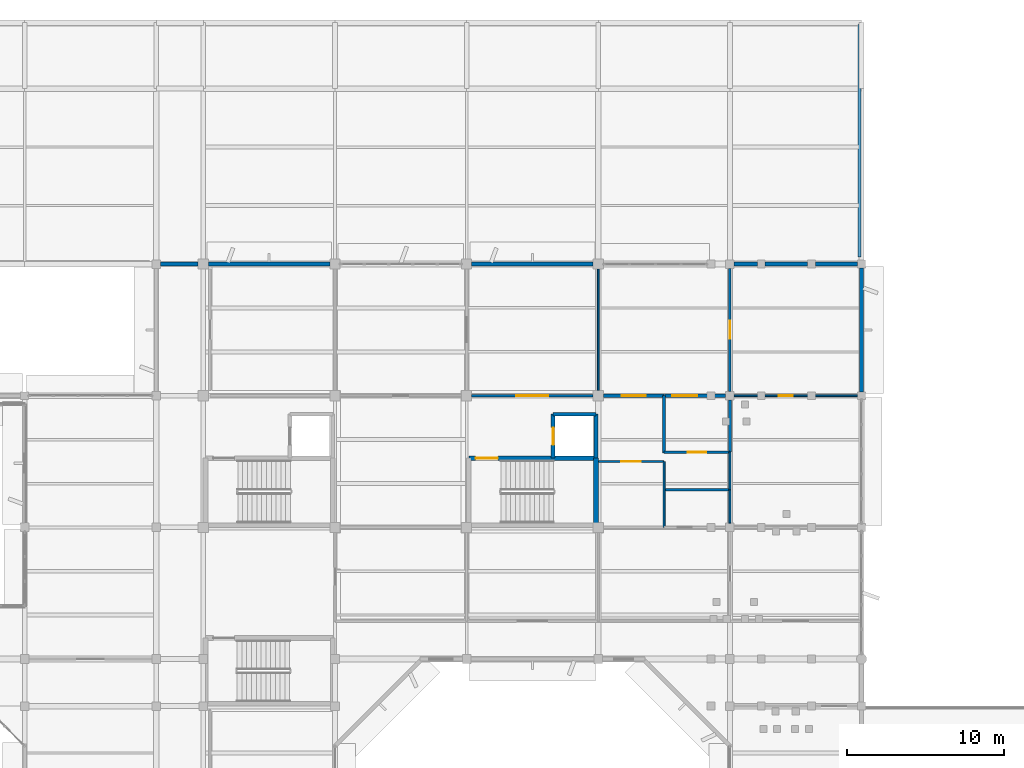
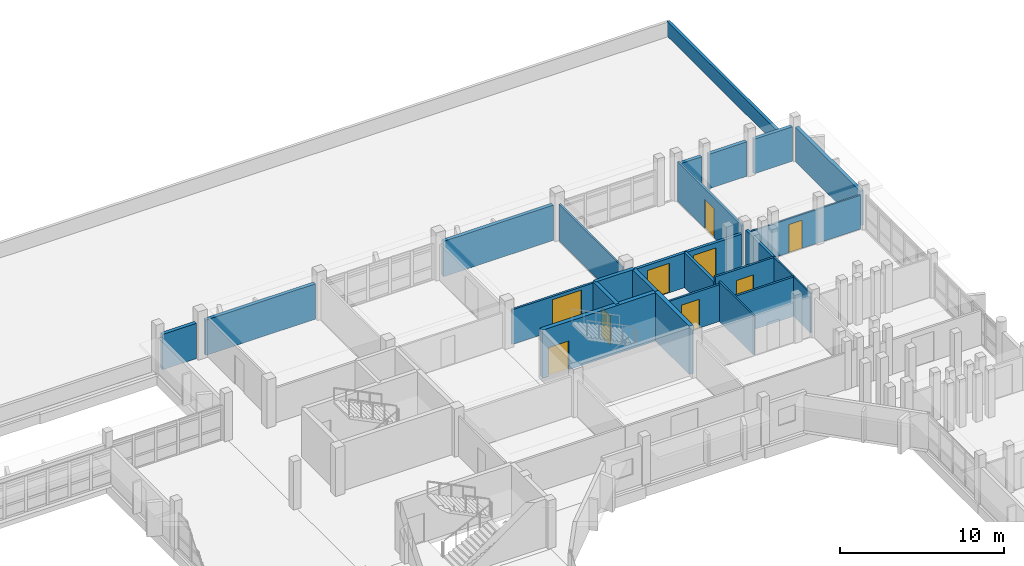
# One storey, part 65 of 92: 27 walls, 9 doors, 9 openings.
"""IFC4 building model written with IfcOpenShell, lengths in metres."""

from ifc_helpers import new_model, si_unit, direction, frame, frame_2d, origin, place, context, subcontext, project, spatial, rectangle, extrude, material, layer, layer_set, type_object, element, fill, save


model = new_model("IFC4")

# Units and contexts
model_context = context("Model", 3, precision=1e-05, world=origin(), true_north=direction((0.0, 1.0)))
body_context = subcontext(model_context, "Body", "Model", "MODEL_VIEW")
ifc_project = project(units=[si_unit("LENGTHUNIT", "METRE"), si_unit("AREAUNIT", "SQUARE_METRE"), si_unit("VOLUMEUNIT", "CUBIC_METRE"), si_unit("PLANEANGLEUNIT", "RADIAN"), si_unit("MASSUNIT", "GRAM", prefix="KILO")], contexts=[model_context])

# Site, building, storey
site_placement = place(None, origin())
site = spatial("IfcSite", under=ifc_project, at=site_placement, CompositionType="ELEMENT")
building_placement = place(site_placement, origin())
building = spatial("IfcBuilding", under=site, at=building_placement, Name="Vanh Quang Courtyard School", CompositionType="ELEMENT")
storey_placement = place(building_placement, frame((0.0, 0.0, 7.800048828125)))
storey = spatial("IfcBuildingStorey", under=building, at=storey_placement, Name="L02", CompositionType="ELEMENT", Elevation=7.800048828125)

# Wall, opening, door
ifc_material_1 = material(Name="Concrete C30/37", Category="concrete")
ifc_layer_1 = layer(ifc_material_1, 0.199951171875)
ifc_layer_set_1 = layer_set([ifc_layer_1], Name="Concrete C30/37")
wall_type_1 = type_object("IfcWallType", Name="W-COMP-200", PredefinedType="PARTITIONING", material=ifc_layer_set_1)
wall_1_placement = place(storey_placement, frame((102.923095703125, 88.199951171875, 0.0), z_axis=(0.0, 0.0, 1.0), x_axis=(1.0, 0.0, 0.0)))
wall_1 = element("IfcWall", 1, at=wall_1_placement, inside=storey, type_object=wall_type_1, Name="Wall W-COMP1 (L02)", PredefinedType="PARTITIONING", context=body_context, shape_type="SweptSolid", body=[
    extrude(rectangle(XDim=3.876953125, YDim=0.199951171875, at=frame_2d((1.9384765625, 0.0))), origin(), (0.0, 0.0, 1.0), 2.58984375),
])
opening_1_placement = place(wall_1_placement, frame((1.16357421875, 0.0, 0.0)))
opening_1 = element("IfcOpeningElement", 2, at=opening_1_placement, cuts=wall_1, Name="Opening L02-D095", PredefinedType="OPENING", context=body_context, shape_type="SweptSolid", body=[
    extrude(rectangle(XDim=1.550048828125, YDim=2.199951171875, at=frame_2d((0.77490234375, 1.10009765625))), frame((0.0, 0.10986328125, 0.0), z_axis=(0.0, -1.0, 0.0), x_axis=(1.0, 0.0, 0.0)), (0.0, 0.0, 1.0), 0.219970703125),
])
ifc_material_2 = material(Name="Painted galvanised steel fire door", Category="steel")
door_type_1 = type_object("IfcDoorType", Name="IDR-KIT-1550x2200", OperationType="NOTDEFINED", PredefinedType="DOOR", material=ifc_material_2)
door_1_placement = place(opening_1_placement, origin())
door_1 = element("IfcDoor", 3, at=door_1_placement, inside=storey, type_object=door_type_1, Name="Door L02-D095 (L02)", OperationType="DOUBLE_DOOR_SINGLE_SWING", OverallHeight=2.199951171875, OverallWidth=1.550048828125, PredefinedType="DOOR", context=body_context, shape_type="SweptSolid", body=[
    extrude(rectangle(XDim=1.550048828125, YDim=2.199951171875, at=frame_2d((0.77490234375, 1.10009765625))), frame((0.0, 0.02490234375, 0.0), z_axis=(0.0, -1.0, 0.0), x_axis=(1.0, 0.0, 0.0)), (0.0, 0.0, 1.0), 0.050048828125),
])
fill(opening_1, door_1)

# Wall
wall_2_placement = place(storey_placement, frame((106.800048828125, 88.199951171875, 0.0), z_axis=(0.0, 0.0, 1.0), x_axis=(0.0, -1.0, 0.0)))
element("IfcWall", 4, at=wall_2_placement, inside=storey, type_object=wall_type_1, Name="Wall W-COMP1 (L02)", PredefinedType="PARTITIONING", context=body_context, shape_type="SweptSolid", body=[
    extrude(rectangle(XDim=3.646240234375, YDim=0.199951171875, at=frame_2d((1.8232421875, 0.0))), origin(), (0.0, 0.0, 1.0), 2.58984375),
])

# Wall, opening, door
wall_3_placement = place(storey_placement, frame((106.820068359375, 88.199951171875, 0.0), z_axis=(0.0, 0.0, 1.0), x_axis=(1.0, 0.0, 0.0)))
wall_3 = element("IfcWall", 5, at=wall_3_placement, inside=storey, type_object=wall_type_1, Name="Wall W-COMP1 (L02)", PredefinedType="PARTITIONING", context=body_context, shape_type="SweptSolid", body=[
    extrude(rectangle(XDim=3.906982421875, YDim=0.199951171875, at=frame_2d((1.95361328125, 0.0))), origin(), (0.0, 0.0, 1.0), 2.58984375),
])
opening_2_placement = place(wall_3_placement, frame((0.50341796875, 0.0, 0.0)))
opening_2 = element("IfcOpeningElement", 6, at=opening_2_placement, cuts=wall_3, Name="Opening L02-D096", PredefinedType="OPENING", context=body_context, shape_type="SweptSolid", body=[
    extrude(rectangle(XDim=1.60009765625, YDim=2.199951171875, at=frame_2d((0.800048828125, 1.10009765625))), frame((0.0, 0.10986328125, 0.0), z_axis=(0.0, -1.0, 0.0), x_axis=(1.0, 0.0, 0.0)), (0.0, 0.0, 1.0), 0.219970703125),
])
door_type_2 = type_object("IfcDoorType", Name="IDR-FD-1600x2200", OperationType="NOTDEFINED", PredefinedType="DOOR", material=ifc_material_2)
door_2_placement = place(opening_2_placement, origin())
door_2 = element("IfcDoor", 7, at=door_2_placement, inside=storey, type_object=door_type_2, Name="Door L02-D096 (L02)", OperationType="DOUBLE_DOOR_SINGLE_SWING", OverallHeight=2.199951171875, OverallWidth=1.60009765625, PredefinedType="DOOR", context=body_context, shape_type="SweptSolid", body=[
    extrude(rectangle(XDim=1.60009765625, YDim=2.199951171875, at=frame_2d((0.800048828125, 1.10009765625))), frame((0.0, 0.02490234375, 0.0), z_axis=(0.0, -1.0, 0.0), x_axis=(1.0, 0.0, 0.0)), (0.0, 0.0, 1.0), 0.050048828125),
])
fill(opening_2, door_2)

# Walls
wall_4_placement = place(storey_placement, frame((111.0, 87.927001953125, 0.0), z_axis=(0.0, 0.0, 1.0), x_axis=(0.0, -1.0, 0.0)))
element("IfcWall", 8, at=wall_4_placement, inside=storey, type_object=wall_type_1, Name="Wall W-COMP1 (L02)", PredefinedType="PARTITIONING", context=body_context, shape_type="SweptSolid", body=[
    extrude(rectangle(XDim=3.306884765625, YDim=0.199951171875, at=frame_2d((1.6533203125, 0.0))), origin(), (0.0, 0.0, 1.0), 2.93994140625),
])
ifc_material_3 = material(Name="Concrete C35/45", Category="concrete")
ifc_layer_2 = layer(ifc_material_3, 0.300048828125)
ifc_layer_set_2 = layer_set([ifc_layer_2], Name="Concrete C35/45")
wall_type_2 = type_object("IfcWallType", Name="W-CORE-300", PredefinedType="SHEAR", material=ifc_layer_set_2)
wall_5_placement = place(storey_placement, frame((102.4599609375, 79.93994140625, 0.0), z_axis=(0.0, 0.0, 1.0), x_axis=(0.0, 1.0, 0.0)))
element("IfcWall", 9, at=wall_5_placement, inside=storey, type_object=wall_type_2, Name="Wall W-CORE1 (L02)", PredefinedType="SHEAR", context=body_context, shape_type="SweptSolid", body=[
    extrude(rectangle(XDim=4.280029296875, YDim=0.300048828125, at=frame_2d((2.14013671875, 0.0))), origin(), (0.0, 0.0, 1.0), 3.599853515625),
])

# Wall, opening, door
wall_6_placement = place(storey_placement, frame((102.4599609375, 84.219970703125, 0.0), z_axis=(0.0, 0.0, 1.0), x_axis=(-1.0, 0.0, 0.0)))
wall_6 = element("IfcWall", 10, at=wall_6_placement, inside=storey, type_object=wall_type_2, Name="Wall W-CORE1 (L02)", PredefinedType="SHEAR", context=body_context, shape_type="SweptSolid", body=[
    extrude(rectangle(XDim=8.119873046875, YDim=0.300048828125, at=frame_2d((4.06005859375, 0.0))), origin(), (0.0, 0.0, 1.0), 3.599853515625),
])
opening_3_placement = place(wall_6_placement, frame((6.27001953125, 0.0, 0.0)))
opening_3 = element("IfcOpeningElement", 11, at=opening_3_placement, cuts=wall_6, Name="Opening L02-DS2", PredefinedType="OPENING", context=body_context, shape_type="SweptSolid", body=[
    extrude(rectangle(XDim=1.419921875, YDim=2.14990234375, at=frame_2d((0.7099609375, 1.074951171875))), frame((0.0, 0.16015625, 0.0), z_axis=(0.0, -1.0, 0.0), x_axis=(1.0, 0.0, 0.0)), (0.0, 0.0, 1.0), 0.320068359375),
])
door_type_3 = type_object("IfcDoorType", Name="IDR-ST-1420x2150", OperationType="NOTDEFINED", PredefinedType="DOOR", material=ifc_material_2)
door_3_placement = place(opening_3_placement, frame((1.419921875, 0.0, 0.0), z_axis=(0.0, 0.0, 1.0), x_axis=(-1.0, 0.0, 0.0)))
door_3 = element("IfcDoor", 12, at=door_3_placement, inside=storey, type_object=door_type_3, Name="Door L02-DS2 (L02)", OperationType="SINGLE_SWING_LEFT", OverallHeight=2.14990234375, OverallWidth=1.419921875, PredefinedType="DOOR", context=body_context, shape_type="SweptSolid", body=[
    extrude(rectangle(XDim=1.419921875, YDim=2.14990234375, at=frame_2d((0.7099609375, 1.074951171875))), frame((0.0, 0.02490234375, 0.0), z_axis=(0.0, -1.0, 0.0), x_axis=(1.0, 0.0, 0.0)), (0.0, 0.0, 1.0), 0.050048828125),
])
fill(opening_3, door_3)

# Walls
ifc_material_4 = material(Name="Precast concrete C40/50", Category="concrete")
ifc_layer_3 = layer(ifc_material_4, 0.239990234375)
ifc_layer_set_3 = layer_set([ifc_layer_3], Name="Precast concrete C40/50")
wall_type_3 = type_object("IfcWallType", Name="W-EXT-240", PredefinedType="SOLIDWALL", material=ifc_layer_set_3)
wall_7_placement = place(storey_placement, frame((74.673095703125, 96.60009765625, 0.0), z_axis=(0.0, 0.0, 1.0), x_axis=(1.0, 0.0, 0.0)))
element("IfcWall", 13, at=wall_7_placement, inside=storey, type_object=wall_type_3, Name="Wall WE-03 (L02)", PredefinedType="SOLIDWALL", context=body_context, shape_type="SweptSolid", body=[
    extrude(rectangle(XDim=2.40380859375, YDim=0.239990234375, at=frame_2d((1.201904296875, 0.0))), origin(), (0.0, 0.0, 1.0), 2.639892578125),
])
for number, where, z_axis, x_axis, name in (
    (14, (77.722900390625, 96.60009765625, 0.0), (0.0, 0.0, 1.0), (1.0, 0.0, 0.0), "Wall WE-03 (L02)"),
    (15, (94.52294921875, 96.60009765625, 0.0), (0.0, 0.0, 1.0), (1.0, 0.0, 0.0), "Wall WE-03 (L02)"),
):
    element("IfcWall", number, at=place(storey_placement, frame(where, z_axis=z_axis, x_axis=x_axis)), inside=storey, type_object=wall_type_3, Name=name, PredefinedType="SOLIDWALL", context=body_context, shape_type="SweptSolid", body=[
        extrude(rectangle(XDim=7.754150390625, YDim=0.239990234375, at=frame_2d((3.876953125, 0.0))), origin(), (0.0, 0.0, 1.0), 2.639892578125),
    ])
wall_8_placement = place(storey_placement, frame((111.27294921875, 96.60009765625, 0.0), z_axis=(0.0, 0.0, 1.0), x_axis=(1.0, 0.0, 0.0)))
element("IfcWall", 16, at=wall_8_placement, inside=storey, type_object=wall_type_3, Name="Wall WE-03 (L02)", PredefinedType="SOLIDWALL", context=body_context, shape_type="SweptSolid", body=[
    extrude(rectangle(XDim=1.47900390625, YDim=0.239990234375, at=frame_2d((0.739501953125, 0.0))), origin(), (0.0, 0.0, 1.0), 2.579833984375),
])
wall_9_placement = place(storey_placement, frame((113.248046875, 96.60009765625, 0.0), z_axis=(0.0, 0.0, 1.0), x_axis=(1.0, 0.0, 0.0)))
element("IfcWall", 17, at=wall_9_placement, inside=storey, type_object=wall_type_3, Name="Wall WE-03 (L02)", PredefinedType="SOLIDWALL", context=body_context, shape_type="SweptSolid", body=[
    extrude(rectangle(XDim=2.703857421875, YDim=0.239990234375, at=frame_2d((1.35205078125, 0.0))), origin(), (0.0, 0.0, 1.0), 2.579833984375),
])
wall_10_placement = place(storey_placement, frame((116.447998046875, 96.60009765625, 0.0), z_axis=(0.0, 0.0, 1.0), x_axis=(1.0, 0.0, 0.0)))
element("IfcWall", 18, at=wall_10_placement, inside=storey, type_object=wall_type_3, Name="Wall WE-03 (L02)", PredefinedType="SOLIDWALL", context=body_context, shape_type="SweptSolid", body=[
    extrude(rectangle(XDim=2.7041015625, YDim=0.239990234375, at=frame_2d((1.35205078125, 0.0))), origin(), (0.0, 0.0, 1.0), 2.579833984375),
])
wall_11_placement = place(storey_placement, frame((119.39990234375, 96.35205078125, 0.0), z_axis=(0.0, 0.0, 1.0), x_axis=(0.0, -1.0, 0.0)))
element("IfcWall", 19, at=wall_11_placement, inside=storey, type_object=wall_type_3, Name="Wall WE-03 (L02)", PredefinedType="SOLIDWALL", context=body_context, shape_type="SweptSolid", body=[
    extrude(rectangle(XDim=7.904052734375, YDim=0.239990234375, at=frame_2d((3.9521484375, 0.0))), origin(), (0.0, 0.0, 1.0), 2.579833984375),
])
ifc_layer_4 = layer(ifc_material_3, 0.199951171875)
ifc_layer_set_4 = layer_set([ifc_layer_4], Name="Concrete C35/45")
wall_type_4 = type_object("IfcWallType", Name="W-PAR-200", PredefinedType="PARAPET", material=ifc_layer_set_4)
wall_12_placement = place(storey_placement, frame((119.280029296875, 111.8798828125, 0.0), z_axis=(0.0, 0.0, 1.0), x_axis=(0.0, -1.0, 0.0)))
element("IfcWall", 20, at=wall_12_placement, inside=storey, type_object=wall_type_4, Name="Wall WP-01 (L02)", PredefinedType="PARAPET", context=body_context, shape_type="SweptSolid", body=[
    extrude(rectangle(XDim=14.829833984375, YDim=0.199951171875, at=frame_2d((7.4150390625, 0.0))), origin(), (0.0, 0.0, 1.0), 1.099853515625),
])
ifc_material_5 = material(Name="Acoustic gypsum stud partition", Category="gypsum")
ifc_layer_5 = layer(ifc_material_5, 0.1201171875)
ifc_layer_set_5 = layer_set([ifc_layer_5], Name="Acoustic gypsum stud partition")
wall_type_5 = type_object("IfcWallType", Name="W-PART-120", PredefinedType="PARTITIONING", material=ifc_layer_set_5)
wall_13_placement = place(storey_placement, frame((106.800048828125, 84.0, 0.0), z_axis=(0.0, 0.0, 1.0), x_axis=(0.0, -1.0, 0.0)))
element("IfcWall", 21, at=wall_13_placement, inside=storey, type_object=wall_type_5, Name="Wall W-PRT2 (L02)", PredefinedType="PARTITIONING", context=body_context, shape_type="SweptSolid", body=[
    extrude(rectangle(XDim=4.199951171875, YDim=0.1201171875, at=frame_2d((2.10009765625, 0.0))), origin(), (0.0, 0.0, 1.0), 2.949951171875),
])
wall_14_placement = place(storey_placement, frame((111.0, 82.199951171875, 0.0), z_axis=(0.0, 0.0, 1.0), x_axis=(0.0, -1.0, 0.0)))
element("IfcWall", 22, at=wall_14_placement, inside=storey, type_object=wall_type_5, Name="Wall W-PRT2 (L02)", PredefinedType="PARTITIONING", context=body_context, shape_type="SweptSolid", body=[
    extrude(rectangle(XDim=2.126953125, YDim=0.1201171875, at=frame_2d((1.0634765625, 0.0))), origin(), (0.0, 0.0, 1.0), 2.93994140625),
])
wall_15_placement = place(storey_placement, frame((111.0, 84.60009765625, 0.0), z_axis=(0.0, 0.0, 1.0), x_axis=(0.0, -1.0, 0.0)))
element("IfcWall", 23, at=wall_15_placement, inside=storey, type_object=wall_type_5, Name="Wall W-PRT2 (L02)", PredefinedType="PARTITIONING", context=body_context, shape_type="SweptSolid", body=[
    extrude(rectangle(XDim=2.380126953125, YDim=0.1201171875, at=frame_2d((1.18994140625, 0.0))), origin(), (0.0, 0.0, 1.0), 2.93994140625),
])
wall_16_placement = place(storey_placement, frame((102.60009765625, 96.277099609375, 0.0), z_axis=(0.0, 0.0, 1.0), x_axis=(0.0, -1.0, 0.0)))
element("IfcWall", 24, at=wall_16_placement, inside=storey, type_object=wall_type_5, Name="Wall W-PRT2 (L02)", PredefinedType="PARTITIONING", context=body_context, shape_type="SweptSolid", body=[
    extrude(rectangle(XDim=7.754150390625, YDim=0.1201171875, at=frame_2d((3.876953125, 0.0))), origin(), (0.0, 0.0, 1.0), 2.739990234375),
])

# Wall, opening, door
wall_17_placement = place(storey_placement, frame((111.27294921875, 88.199951171875, 0.0), z_axis=(0.0, 0.0, 1.0), x_axis=(1.0, 0.0, 0.0)))
wall_17 = element("IfcWall", 25, at=wall_17_placement, inside=storey, type_object=wall_type_5, Name="Wall W-PRT2 (L02)", PredefinedType="PARTITIONING", context=body_context, shape_type="SweptSolid", body=[
    extrude(rectangle(XDim=7.879150390625, YDim=0.1201171875, at=frame_2d((3.939453125, 0.0))), origin(), (0.0, 0.0, 1.0), 2.530029296875),
])
opening_4_placement = place(wall_17_placement, frame((2.82958984375, 0.0, 0.0)))
opening_4 = element("IfcOpeningElement", 26, at=opening_4_placement, cuts=wall_17, Name="Opening L02-D127", PredefinedType="OPENING", context=body_context, shape_type="SweptSolid", body=[
    extrude(rectangle(XDim=0.919921875, YDim=2.10009765625, at=frame_2d((0.4599609375, 1.050048828125))), frame((0.0, 0.070068359375, 0.0), z_axis=(0.0, -1.0, 0.0), x_axis=(1.0, 0.0, 0.0)), (0.0, 0.0, 1.0), 0.14013671875),
])
ifc_material_6 = material(Name="Solid-core hardwood acoustic door", Category="wood")
door_type_4 = type_object("IfcDoorType", Name="IDR-STF-0920x2100", OperationType="NOTDEFINED", PredefinedType="DOOR", material=ifc_material_6)
door_4_placement = place(opening_4_placement, origin())
door_4 = element("IfcDoor", 27, at=door_4_placement, inside=storey, type_object=door_type_4, Name="Door L02-D127 (L02)", OperationType="SINGLE_SWING_RIGHT", OverallHeight=2.10009765625, OverallWidth=0.919921875, PredefinedType="DOOR", context=body_context, shape_type="SweptSolid", body=[
    extrude(rectangle(XDim=0.919921875, YDim=2.10009765625, at=frame_2d((0.4599609375, 1.050048828125))), frame((0.0, 0.02490234375, 0.0), z_axis=(0.0, -1.0, 0.0), x_axis=(1.0, 0.0, 0.0)), (0.0, 0.0, 1.0), 0.050048828125),
])
fill(opening_4, door_4)

ifc_material_7 = material(Name="Autoclaved aerated masonry blockwork", Category="masonry")
ifc_layer_6 = layer(ifc_material_7, 0.14990234375)
ifc_layer_set_6 = layer_set([ifc_layer_6], Name="Autoclaved aerated masonry blockwork")
wall_type_6 = type_object("IfcWallType", Name="W-PART-150", PredefinedType="PARTITIONING", material=ifc_layer_set_6)
wall_18_placement = place(storey_placement, frame((102.60009765625, 84.0, 0.0), z_axis=(0.0, 0.0, 1.0), x_axis=(1.0, 0.0, 0.0)))
wall_18 = element("IfcWall", 28, at=wall_18_placement, inside=storey, type_object=wall_type_6, Name="Wall W-PRT1 (L02)", PredefinedType="PARTITIONING", context=body_context, shape_type="SweptSolid", body=[
    extrude(rectangle(XDim=4.199951171875, YDim=0.14990234375, at=frame_2d((2.10009765625, 0.0))), origin(), (0.0, 0.0, 1.0), 2.739990234375),
])
opening_5_placement = place(wall_18_placement, frame((1.47509765625, 0.0, 0.0)))
opening_5 = element("IfcOpeningElement", 29, at=opening_5_placement, cuts=wall_18, Name="Opening L02-D092", PredefinedType="OPENING", context=body_context, shape_type="SweptSolid", body=[
    extrude(rectangle(XDim=1.25, YDim=2.14990234375, at=frame_2d((0.625, 1.074951171875))), frame((0.0, 0.0849609375, 0.0), z_axis=(0.0, -1.0, 0.0), x_axis=(1.0, 0.0, 0.0)), (0.0, 0.0, 1.0), 0.169921875),
])
door_type_5 = type_object("IfcDoorType", Name="IDR-LAB-1250x2150", OperationType="NOTDEFINED", PredefinedType="DOOR", material=ifc_material_2)
door_5_placement = place(opening_5_placement, origin())
door_5 = element("IfcDoor", 30, at=door_5_placement, inside=storey, type_object=door_type_5, Name="Door L02-D092 (L02)", OperationType="SINGLE_SWING_LEFT", OverallHeight=2.14990234375, OverallWidth=1.25, PredefinedType="DOOR", context=body_context, shape_type="SweptSolid", body=[
    extrude(rectangle(XDim=1.25, YDim=2.14990234375, at=frame_2d((0.625, 1.074951171875))), frame((0.0, 0.02490234375, 0.0), z_axis=(0.0, -1.0, 0.0), x_axis=(1.0, 0.0, 0.0)), (0.0, 0.0, 1.0), 0.050048828125),
])
fill(opening_5, door_5)

# Wall
wall_19_placement = place(storey_placement, frame((106.820068359375, 82.199951171875, 0.0), z_axis=(0.0, 0.0, 1.0), x_axis=(1.0, 0.0, 0.0)))
element("IfcWall", 31, at=wall_19_placement, inside=storey, type_object=wall_type_6, Name="Wall W-PRT1 (L02)", PredefinedType="PARTITIONING", context=body_context, shape_type="SweptSolid", body=[
    extrude(rectangle(XDim=4.179931640625, YDim=0.14990234375, at=frame_2d((2.08984375, 0.0))), origin(), (0.0, 0.0, 1.0), 2.93994140625),
])

# Wall, opening, door
wall_20_placement = place(storey_placement, frame((106.800048828125, 84.60009765625, 0.0), z_axis=(0.0, 0.0, 1.0), x_axis=(1.0, 0.0, 0.0)))
wall_20 = element("IfcWall", 32, at=wall_20_placement, inside=storey, type_object=wall_type_6, Name="Wall W-PRT1 (L02)", PredefinedType="PARTITIONING", context=body_context, shape_type="SweptSolid", body=[
    extrude(rectangle(XDim=4.199951171875, YDim=0.14990234375, at=frame_2d((2.10009765625, 0.0))), origin(), (0.0, 0.0, 1.0), 2.93994140625),
])
opening_6_placement = place(wall_20_placement, frame((1.5, 0.0, 0.0)))
opening_6 = element("IfcOpeningElement", 33, at=opening_6_placement, cuts=wall_20, Name="Opening L02-D094", PredefinedType="OPENING", context=body_context, shape_type="SweptSolid", body=[
    extrude(rectangle(XDim=1.199951171875, YDim=2.14990234375, at=frame_2d((0.60009765625, 1.074951171875))), frame((0.0, 0.0849609375, 0.0), z_axis=(0.0, -1.0, 0.0), x_axis=(1.0, 0.0, 0.0)), (0.0, 0.0, 1.0), 0.169921875),
])
door_type_6 = type_object("IfcDoorType", Name="IDR-FD-1200x2150", OperationType="NOTDEFINED", PredefinedType="DOOR", material=ifc_material_2)
door_6_placement = place(opening_6_placement, origin())
door_6 = element("IfcDoor", 34, at=door_6_placement, inside=storey, type_object=door_type_6, Name="Door L02-D094 (L02)", OperationType="SINGLE_SWING_LEFT", OverallHeight=2.14990234375, OverallWidth=1.199951171875, PredefinedType="DOOR", context=body_context, shape_type="SweptSolid", body=[
    extrude(rectangle(XDim=1.199951171875, YDim=2.14990234375, at=frame_2d((0.60009765625, 1.074951171875))), frame((0.0, 0.02490234375, 0.0), z_axis=(0.0, -1.0, 0.0), x_axis=(1.0, 0.0, 0.0)), (0.0, 0.0, 1.0), 0.050048828125),
])
fill(opening_6, door_6)

wall_21_placement = place(storey_placement, frame((102.277099609375, 88.199951171875, 0.0), z_axis=(0.0, 0.0, 1.0), x_axis=(-1.0, 0.0, 0.0)))
wall_21 = element("IfcWall", 35, at=wall_21_placement, inside=storey, type_object=wall_type_6, Name="Wall W-PRT1 (L02)", PredefinedType="PARTITIONING", context=body_context, shape_type="SweptSolid", body=[
    extrude(rectangle(XDim=7.754150390625, YDim=0.14990234375, at=frame_2d((3.876953125, 0.0))), origin(), (0.0, 0.0, 1.0), 2.58984375),
])
opening_7_placement = place(wall_21_placement, frame((2.85205078125, 0.0, 0.0)))
opening_7 = element("IfcOpeningElement", 36, at=opening_7_placement, cuts=wall_21, Name="Opening L02-D119", PredefinedType="OPENING", context=body_context, shape_type="SweptSolid", body=[
    extrude(rectangle(XDim=2.050048828125, YDim=2.35009765625, at=frame_2d((1.02490234375, 1.175048828125))), frame((0.0, 0.0849609375, 0.0), z_axis=(0.0, -1.0, 0.0), x_axis=(1.0, 0.0, 0.0)), (0.0, 0.0, 1.0), 0.169921875),
])
door_type_7 = type_object("IfcDoorType", Name="IDR-HAL-2050x2350", OperationType="NOTDEFINED", PredefinedType="DOOR", material=ifc_material_2)
door_7_placement = place(opening_7_placement, origin())
door_7 = element("IfcDoor", 37, at=door_7_placement, inside=storey, type_object=door_type_7, Name="Door L02-D119 (L02)", OperationType="DOUBLE_DOOR_SINGLE_SWING", OverallHeight=2.35009765625, OverallWidth=2.050048828125, PredefinedType="DOOR", context=body_context, shape_type="SweptSolid", body=[
    extrude(rectangle(XDim=2.050048828125, YDim=2.35009765625, at=frame_2d((1.02490234375, 1.175048828125))), frame((0.0, 0.02490234375, 0.0), z_axis=(0.0, -1.0, 0.0), x_axis=(1.0, 0.0, 0.0)), (0.0, 0.0, 1.0), 0.050048828125),
])
fill(opening_7, door_7)

wall_22_placement = place(storey_placement, frame((111.0, 96.326904296875, 0.0), z_axis=(0.0, 0.0, 1.0), x_axis=(0.0, -1.0, 0.0)))
wall_22 = element("IfcWall", 38, at=wall_22_placement, inside=storey, type_object=wall_type_6, Name="Wall W-PRT1 (L02)", PredefinedType="PARTITIONING", context=body_context, shape_type="SweptSolid", body=[
    extrude(rectangle(XDim=7.85400390625, YDim=0.14990234375, at=frame_2d((3.927001953125, 0.0))), origin(), (0.0, 0.0, 1.0), 2.93994140625),
])
opening_8_placement = place(wall_22_placement, frame((3.35205078125, 0.0, 0.0)))
opening_8 = element("IfcOpeningElement", 39, at=opening_8_placement, cuts=wall_22, Name="Opening L02-D121", PredefinedType="OPENING", context=body_context, shape_type="SweptSolid", body=[
    extrude(rectangle(XDim=1.14990234375, YDim=2.14990234375, at=frame_2d((0.574951171875, 1.074951171875))), frame((0.0, 0.0849609375, 0.0), z_axis=(0.0, -1.0, 0.0), x_axis=(1.0, 0.0, 0.0)), (0.0, 0.0, 1.0), 0.169921875),
])
door_type_8 = type_object("IfcDoorType", Name="IDR-LAB-1150x2150", OperationType="NOTDEFINED", PredefinedType="DOOR", material=ifc_material_2)
door_8_placement = place(opening_8_placement, origin())
door_8 = element("IfcDoor", 40, at=door_8_placement, inside=storey, type_object=door_type_8, Name="Door L02-D121 (L02)", OperationType="SINGLE_SWING_RIGHT", OverallHeight=2.14990234375, OverallWidth=1.14990234375, PredefinedType="DOOR", context=body_context, shape_type="SweptSolid", body=[
    extrude(rectangle(XDim=1.14990234375, YDim=2.14990234375, at=frame_2d((0.574951171875, 1.074951171875))), frame((0.0, 0.02490234375, 0.0), z_axis=(0.0, -1.0, 0.0), x_axis=(1.0, 0.0, 0.0)), (0.0, 0.0, 1.0), 0.050048828125),
])
fill(opening_8, door_8)

ifc_layer_7 = layer(ifc_material_3, 0.25)
ifc_layer_set_7 = layer_set([ifc_layer_7], Name="Concrete C35/45")
wall_type_7 = type_object("IfcWallType", Name="W-SHFT-250", PredefinedType="SHEAR", material=ifc_layer_set_7)
wall_23_placement = place(storey_placement, frame((99.719970703125, 87.02001953125, 0.0), z_axis=(0.0, 0.0, 1.0), x_axis=(0.0, -1.0, 0.0)))
wall_23 = element("IfcWall", 41, at=wall_23_placement, inside=storey, type_object=wall_type_7, Name="Wall W-SHFT1 (L02)", PredefinedType="SHEAR", context=body_context, shape_type="SweptSolid", body=[
    extrude(rectangle(XDim=2.800048828125, YDim=0.25, at=frame_2d((1.39990234375, 0.0))), origin(), (0.0, 0.0, 1.0), 3.599853515625),
])
opening_9_placement = place(wall_23_placement, frame((0.85009765625, 0.0, 0.0)))
opening_9 = element("IfcOpeningElement", 42, at=opening_9_placement, cuts=wall_23, Name="Opening LD-02-L02", PredefinedType="OPENING", context=body_context, shape_type="SweptSolid", body=[
    extrude(rectangle(XDim=1.10009765625, YDim=2.14990234375, at=frame_2d((0.550048828125, 1.074951171875))), frame((0.0, 0.135009765625, 0.0), z_axis=(0.0, -1.0, 0.0), x_axis=(1.0, 0.0, 0.0)), (0.0, 0.0, 1.0), 0.27001953125),
])
door_type_9 = type_object("IfcDoorType", Name="IDR-LD-1100x2150", OperationType="NOTDEFINED", PredefinedType="DOOR", material=ifc_material_2)
door_9_placement = place(opening_9_placement, origin())
door_9 = element("IfcDoor", 43, at=door_9_placement, inside=storey, type_object=door_type_9, Name="Door LD-02-L02 (L02)", OperationType="DOUBLE_DOOR_SLIDING", OverallHeight=2.14990234375, OverallWidth=1.10009765625, PredefinedType="DOOR", context=body_context, shape_type="SweptSolid", body=[
    extrude(rectangle(XDim=1.10009765625, YDim=2.14990234375, at=frame_2d((0.550048828125, 1.074951171875))), frame((0.0, 0.02490234375, 0.0), z_axis=(0.0, -1.0, 0.0), x_axis=(1.0, 0.0, 0.0)), (0.0, 0.0, 1.0), 0.050048828125),
])
fill(opening_9, door_9)

# Walls
wall_24_placement = place(storey_placement, frame((102.4599609375, 87.02001953125, 0.0), z_axis=(0.0, 0.0, 1.0), x_axis=(-1.0, 0.0, 0.0)))
element("IfcWall", 44, at=wall_24_placement, inside=storey, type_object=wall_type_7, Name="Wall W-SHFT1 (L02)", PredefinedType="SHEAR", context=body_context, shape_type="SweptSolid", body=[
    extrude(rectangle(XDim=2.739990234375, YDim=0.25, at=frame_2d((1.3701171875, 0.0))), origin(), (0.0, 0.0, 1.0), 3.599853515625),
])
wall_25_placement = place(storey_placement, frame((102.4599609375, 84.219970703125, 0.0), z_axis=(0.0, 0.0, 1.0), x_axis=(0.0, 1.0, 0.0)))
element("IfcWall", 45, at=wall_25_placement, inside=storey, type_object=wall_type_7, Name="Wall W-SHFT1 (L02)", PredefinedType="SHEAR", context=body_context, shape_type="SweptSolid", body=[
    extrude(rectangle(XDim=2.800048828125, YDim=0.25, at=frame_2d((1.39990234375, 0.0))), origin(), (0.0, 0.0, 1.0), 3.599853515625),
])

save(model, "model.ifc")
